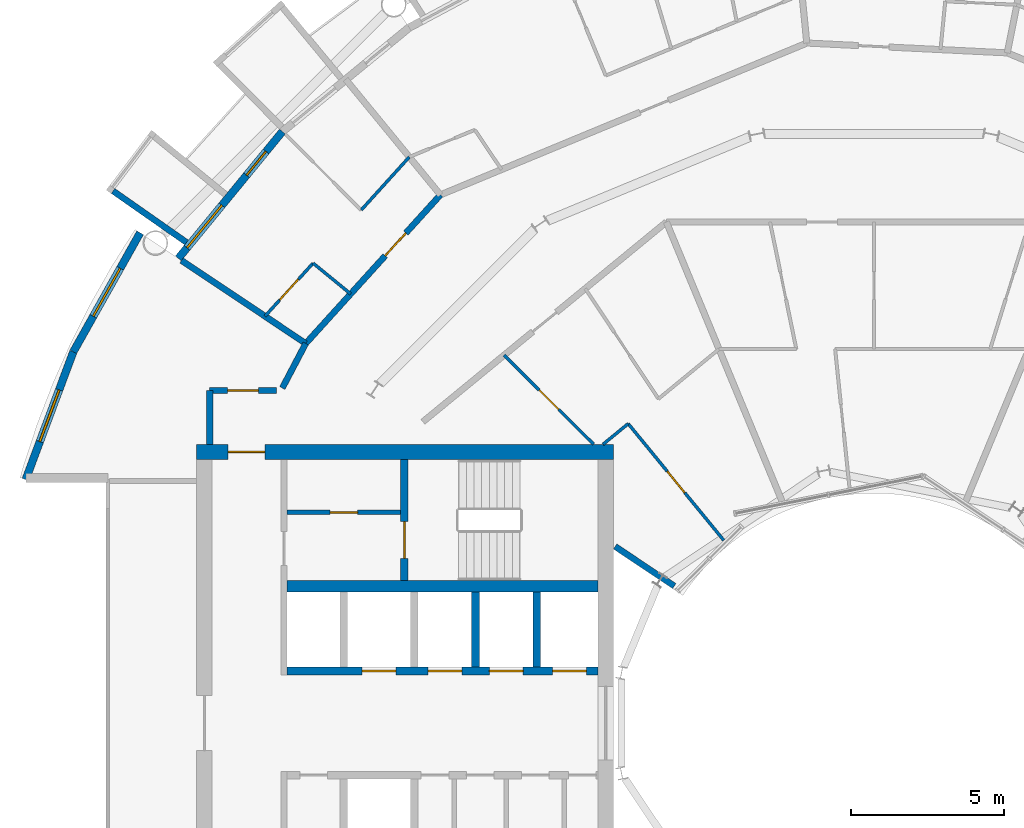
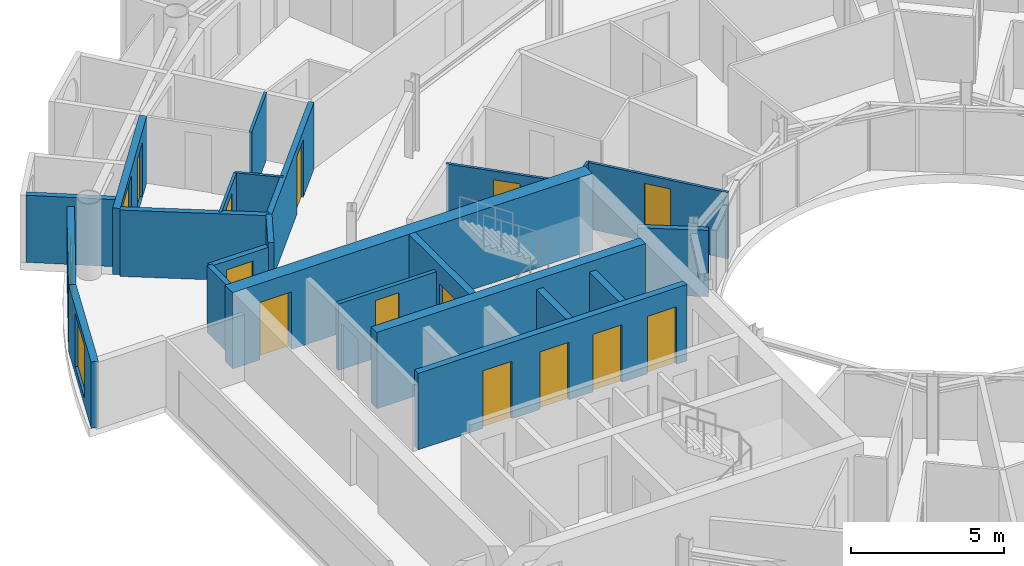
# One storey, part 19 of 26: 23 walls, 13 doors, 3 windows, 16 openings.
"""IFC4 building model written with IfcOpenShell, lengths in metres."""

from ifc_helpers import new_model, si_unit, direction, frame, frame_2d, origin, place, context, subcontext, project, spatial, rectangle, extrude, material, layer, layer_set, type_object, element, fill, save


model = new_model("IFC4")

# Units and contexts
model_context = context("Model", 3, precision=1e-05, world=origin(), true_north=direction((0.0, 1.0)))
body_context = subcontext(model_context, "Body", "Model", "MODEL_VIEW")
ifc_project = project(units=[si_unit("LENGTHUNIT", "METRE"), si_unit("AREAUNIT", "SQUARE_METRE"), si_unit("VOLUMEUNIT", "CUBIC_METRE"), si_unit("PLANEANGLEUNIT", "RADIAN"), si_unit("MASSUNIT", "GRAM", prefix="KILO")], contexts=[model_context])

# Site, building, storey
site_placement = place(None, origin())
site = spatial("IfcSite", under=ifc_project, at=site_placement, CompositionType="ELEMENT")
building_placement = place(site_placement, origin())
building = spatial("IfcBuilding", under=site, at=building_placement, Name="Maasbend Ring Residences", CompositionType="ELEMENT")
storey_placement = place(building_placement, frame((0.0, 0.0, 176.85009765625)))
storey = spatial("IfcBuildingStorey", under=building, at=storey_placement, Name="L51", CompositionType="ELEMENT", Elevation=176.85009765625)

# Wall, openings, doors
ifc_material_1 = material(Name="Concrete C60/75", Category="concrete")
ifc_layer_1 = layer(ifc_material_1, 0.25)
ifc_layer_set_1 = layer_set([ifc_layer_1], Name="Concrete C60/75")
wall_type_1 = type_object("IfcWallType", Name="CORE WALL 250 C60/75", PredefinedType="SHEAR", material=ifc_layer_set_1)
wall_1_placement = place(storey_placement, frame((-9.0, 1.699951171875, 0.0), z_axis=(0.0, 0.0, 1.0), x_axis=(-1.0, 0.0, 0.0)))
wall_1 = element("IfcWall", 1, at=wall_1_placement, inside=storey, type_object=wall_type_1, Name="L51 core W wall SPS", PredefinedType="SHEAR", context=body_context, shape_type="SweptSolid", body=[
    extrude(rectangle(XDim=10.14990234375, YDim=0.25, at=frame_2d((5.074951171875, 0.0))), origin(), (0.0, 0.0, 1.0), 3.0498046875),
])
opening_1_placement = place(wall_1_placement, frame((0.387451171875, 0.0, 0.0)))
opening_1 = element("IfcOpeningElement", 2, at=opening_1_placement, cuts=wall_1, Name="Opening LD-W5102", PredefinedType="OPENING", context=body_context, shape_type="SweptSolid", body=[
    extrude(rectangle(XDim=1.10009765625, YDim=2.300048828125, at=frame_2d((0.550048828125, 1.14990234375))), frame((0.0, 0.135009765625, 0.0), z_axis=(0.0, -1.0, 0.0), x_axis=(1.0, 0.0, 0.0)), (0.0, 0.0, 1.0), 0.27001953125),
])
opening_2_placement = place(wall_1_placement, frame((2.449951171875, 0.0, 0.0)))
opening_2 = element("IfcOpeningElement", 3, at=opening_2_placement, cuts=wall_1, Name="Opening LD-W5103", PredefinedType="OPENING", context=body_context, shape_type="SweptSolid", body=[
    extrude(rectangle(XDim=1.10009765625, YDim=2.300048828125, at=frame_2d((0.550048828125, 1.14990234375))), frame((0.0, 0.135009765625, 0.0), z_axis=(0.0, -1.0, 0.0), x_axis=(1.0, 0.0, 0.0)), (0.0, 0.0, 1.0), 0.27001953125),
])
opening_3_placement = place(wall_1_placement, frame((4.449951171875, 0.0, 0.0)))
opening_3 = element("IfcOpeningElement", 4, at=opening_3_placement, cuts=wall_1, Name="Opening LD-W5104", PredefinedType="OPENING", context=body_context, shape_type="SweptSolid", body=[
    extrude(rectangle(XDim=1.10009765625, YDim=2.300048828125, at=frame_2d((0.550048828125, 1.14990234375))), frame((0.0, 0.135009765625, 0.0), z_axis=(0.0, -1.0, 0.0), x_axis=(1.0, 0.0, 0.0)), (0.0, 0.0, 1.0), 0.27001953125),
])
opening_4_placement = place(wall_1_placement, frame((6.60009765625, 0.0, 0.0)))
opening_4 = element("IfcOpeningElement", 5, at=opening_4_placement, cuts=wall_1, Name="Opening LD-W5105", PredefinedType="OPENING", context=body_context, shape_type="SweptSolid", body=[
    extrude(rectangle(XDim=1.10009765625, YDim=2.300048828125, at=frame_2d((0.550048828125, 1.14990234375))), frame((0.0, 0.135009765625, 0.0), z_axis=(0.0, -1.0, 0.0), x_axis=(1.0, 0.0, 0.0)), (0.0, 0.0, 1.0), 0.27001953125),
])
ifc_material_2 = material(Name="Stainless steel 316", Category="steel")
door_type_1 = type_object("IfcDoorType", Name="LANDING DOOR 1100 X 2300 FD60", OperationType="DOUBLE_DOOR_SLIDING", PredefinedType="DOOR", material=ifc_material_2)
door_1_placement = place(opening_1_placement, origin())
door_1 = element("IfcDoor", 6, at=door_1_placement, inside=storey, type_object=door_type_1, Name="Landing door HR-W1 L51", OperationType="DOUBLE_DOOR_SLIDING", OverallHeight=2.300048828125, OverallWidth=1.10009765625, PredefinedType="DOOR", context=body_context, shape_type="SweptSolid", body=[
    extrude(rectangle(XDim=1.10009765625, YDim=2.300048828125, at=frame_2d((0.550048828125, 1.14990234375))), frame((0.0, 0.02490234375, 0.0), z_axis=(0.0, -1.0, 0.0), x_axis=(1.0, 0.0, 0.0)), (0.0, 0.0, 1.0), 0.050048828125),
])
fill(opening_1, door_1)
door_2_placement = place(opening_2_placement, origin())
door_2 = element("IfcDoor", 7, at=door_2_placement, inside=storey, type_object=door_type_1, Name="Landing door HR-W2 L51", OperationType="DOUBLE_DOOR_SLIDING", OverallHeight=2.300048828125, OverallWidth=1.10009765625, PredefinedType="DOOR", context=body_context, shape_type="SweptSolid", body=[
    extrude(rectangle(XDim=1.10009765625, YDim=2.300048828125, at=frame_2d((0.550048828125, 1.14990234375))), frame((0.0, 0.02490234375, 0.0), z_axis=(0.0, -1.0, 0.0), x_axis=(1.0, 0.0, 0.0)), (0.0, 0.0, 1.0), 0.050048828125),
])
fill(opening_2, door_2)
door_3_placement = place(opening_3_placement, origin())
door_3 = element("IfcDoor", 8, at=door_3_placement, inside=storey, type_object=door_type_1, Name="Landing door HR-W3 L51", OperationType="DOUBLE_DOOR_SLIDING", OverallHeight=2.300048828125, OverallWidth=1.10009765625, PredefinedType="DOOR", context=body_context, shape_type="SweptSolid", body=[
    extrude(rectangle(XDim=1.10009765625, YDim=2.300048828125, at=frame_2d((0.550048828125, 1.14990234375))), frame((0.0, 0.02490234375, 0.0), z_axis=(0.0, -1.0, 0.0), x_axis=(1.0, 0.0, 0.0)), (0.0, 0.0, 1.0), 0.050048828125),
])
fill(opening_3, door_3)
door_4_placement = place(opening_4_placement, origin())
door_4 = element("IfcDoor", 9, at=door_4_placement, inside=storey, type_object=door_type_1, Name="Landing door SV-W L51", OperationType="DOUBLE_DOOR_SLIDING", OverallHeight=2.300048828125, OverallWidth=1.10009765625, PredefinedType="DOOR", context=body_context, shape_type="SweptSolid", body=[
    extrude(rectangle(XDim=1.10009765625, YDim=2.300048828125, at=frame_2d((0.550048828125, 1.14990234375))), frame((0.0, 0.02490234375, 0.0), z_axis=(0.0, -1.0, 0.0), x_axis=(1.0, 0.0, 0.0)), (0.0, 0.0, 1.0), 0.050048828125),
])
fill(opening_4, door_4)

# Wall, opening, door
wall_2_placement = place(storey_placement, frame((-15.324951171875, 8.60009765625, 0.0), z_axis=(0.0, 0.0, 1.0), x_axis=(0.0, -1.0, 0.0)))
wall_2 = element("IfcWall", 10, at=wall_2_placement, inside=storey, type_object=wall_type_1, Name="L51 core W wall STES", PredefinedType="SHEAR", context=body_context, shape_type="SweptSolid", body=[
    extrude(rectangle(XDim=3.9501953125, YDim=0.25, at=frame_2d((1.97509765625, 0.0))), origin(), (0.0, 0.0, 1.0), 3.0498046875),
])
opening_5_placement = place(wall_2_placement, frame((2.02490234375, 0.0, 0.0)))
opening_5 = element("IfcOpeningElement", 11, at=opening_5_placement, cuts=wall_2, Name="Opening D-W5113", PredefinedType="OPENING", context=body_context, shape_type="SweptSolid", body=[
    extrude(rectangle(XDim=1.199951171875, YDim=2.300048828125, at=frame_2d((0.60009765625, 1.14990234375))), frame((0.0, 0.135009765625, 0.0), z_axis=(0.0, -1.0, 0.0), x_axis=(1.0, 0.0, 0.0)), (0.0, 0.0, 1.0), 0.27001953125),
])
ifc_material_3 = material(Name="Steel, powder coated", Category="steel")
door_type_2 = type_object("IfcDoorType", Name="STAIR DOOR 1200 X 2300 FD60", OperationType="NOTDEFINED", PredefinedType="DOOR", material=ifc_material_3)
door_5_placement = place(opening_5_placement, origin())
door_5 = element("IfcDoor", 12, at=door_5_placement, inside=storey, type_object=door_type_2, Name="Stair door ST-W L51", OperationType="SINGLE_SWING_LEFT", OverallHeight=2.300048828125, OverallWidth=1.199951171875, PredefinedType="DOOR", context=body_context, shape_type="SweptSolid", body=[
    extrude(rectangle(XDim=1.199951171875, YDim=2.300048828125, at=frame_2d((0.60009765625, 1.14990234375))), frame((0.0, 0.02490234375, 0.0), z_axis=(0.0, -1.0, 0.0), x_axis=(1.0, 0.0, 0.0)), (0.0, 0.0, 1.0), 0.050048828125),
])
fill(opening_5, door_5)

# Wall
ifc_material_4 = material(Name="Concrete C60/75", Category="concrete")
ifc_layer_2 = layer(ifc_material_4, 0.375)
ifc_layer_set_2 = layer_set([ifc_layer_2], Name="Concrete C60/75")
wall_type_2 = type_object("IfcWallType", Name="CORE WALL 375 C60/75", PredefinedType="SHEAR", material=ifc_layer_set_2)
wall_3_placement = place(storey_placement, frame((-9.0, 4.46240234375, 0.0), z_axis=(0.0, 0.0, 1.0), x_axis=(-1.0, 0.0, 0.0)))
element("IfcWall", 13, at=wall_3_placement, inside=storey, type_object=wall_type_2, Name="L51 core W wall BS", PredefinedType="SHEAR", context=body_context, shape_type="SweptSolid", body=[
    extrude(rectangle(XDim=10.14990234375, YDim=0.375, at=frame_2d((5.074951171875, 0.0))), origin(), (0.0, 0.0, 1.0), 3.0498046875),
])

# Wall, opening, door
ifc_material_5 = material(Name="Concrete C60/75", Category="concrete")
ifc_layer_3 = layer(ifc_material_5, 0.5)
ifc_layer_set_3 = layer_set([ifc_layer_3], Name="Concrete C60/75")
wall_type_3 = type_object("IfcWallType", Name="CORE WALL 500 C60/75", PredefinedType="SHEAR", material=ifc_layer_set_3)
wall_4_placement = place(storey_placement, frame((-8.5, 8.85009765625, 0.0), z_axis=(0.0, 0.0, 1.0), x_axis=(-1.0, 0.0, 0.0)))
wall_4 = element("IfcWall", 14, at=wall_4_placement, inside=storey, type_object=wall_type_3, Name="L51 core W wall PS", PredefinedType="SHEAR", context=body_context, shape_type="SweptSolid", body=[
    extrude(rectangle(XDim=13.60009765625, YDim=0.5, at=frame_2d((6.800048828125, 0.0))), origin(), (0.0, 0.0, 1.0), 3.0498046875),
])
opening_6_placement = place(wall_4_placement, frame((11.375, 0.0, 0.0)))
opening_6 = element("IfcOpeningElement", 15, at=opening_6_placement, cuts=wall_4, Name="Opening D-W5117", PredefinedType="OPENING", context=body_context, shape_type="SweptSolid", body=[
    extrude(rectangle(XDim=1.199951171875, YDim=2.300048828125, at=frame_2d((0.60009765625, 1.14990234375))), frame((0.0, 0.260009765625, 0.0), z_axis=(0.0, -1.0, 0.0), x_axis=(1.0, 0.0, 0.0)), (0.0, 0.0, 1.0), 0.52001953125),
])
ifc_material_6 = material(Name="Steel, powder coated", Category="steel")
door_type_3 = type_object("IfcDoorType", Name="CORRIDOR DOOR 1200 X 2300 FD30S", OperationType="NOTDEFINED", PredefinedType="DOOR", material=ifc_material_6)
door_6_placement = place(opening_6_placement, origin())
door_6 = element("IfcDoor", 16, at=door_6_placement, inside=storey, type_object=door_type_3, Name="Corridor door L51", OperationType="SINGLE_SWING_LEFT", OverallHeight=2.300048828125, OverallWidth=1.199951171875, PredefinedType="DOOR", context=body_context, shape_type="SweptSolid", body=[
    extrude(rectangle(XDim=1.199951171875, YDim=2.300048828125, at=frame_2d((0.60009765625, 1.14990234375))), frame((0.0, 0.02490234375, 0.0), z_axis=(0.0, -1.0, 0.0), x_axis=(1.0, 0.0, 0.0)), (0.0, 0.0, 1.0), 0.050048828125),
])
fill(opening_6, door_6)

ifc_material_7 = material(Name="Concrete C30/37", Category="concrete")
ifc_layer_4 = layer(ifc_material_7, 0.199951171875)
ifc_layer_set_4 = layer_set([ifc_layer_4], Name="Concrete C30/37")
wall_type_4 = type_object("IfcWallType", Name="CORRIDOR WALL 200 CONCRETE", PredefinedType="PARTITIONING", material=ifc_layer_set_4)
wall_5_placement = place(storey_placement, frame((-21.675048828125, 10.85009765625, 0.0), z_axis=(0.0, 0.0, 1.0), x_axis=(1.0, 0.0, 0.0)))
wall_5 = element("IfcWall", 17, at=wall_5_placement, inside=storey, type_object=wall_type_4, Name="U-L51-w096", PredefinedType="PARTITIONING", context=body_context, shape_type="SweptSolid", body=[
    extrude(rectangle(XDim=2.171142578125, YDim=0.199951171875, at=frame_2d((1.08544921875, 0.0))), origin(), (0.0, 0.0, 1.0), 2.64990234375),
])
opening_7_placement = place(wall_5_placement, frame((0.5849609375, 0.0, 0.0)))
opening_7 = element("IfcOpeningElement", 18, at=opening_7_placement, cuts=wall_5, Name="Opening D-5166", PredefinedType="OPENING", context=body_context, shape_type="SweptSolid", body=[
    extrude(rectangle(XDim=1.0, YDim=2.300048828125, at=frame_2d((0.5, 1.14990234375))), frame((0.0, 0.10986328125, 0.0), z_axis=(0.0, -1.0, 0.0), x_axis=(1.0, 0.0, 0.0)), (0.0, 0.0, 1.0), 0.219970703125),
])
ifc_material_8 = material(Name="Timber, painted", Category="wood")
door_type_4 = type_object("IfcDoorType", Name="ROOM DOOR 1000 X 2300", OperationType="NOTDEFINED", PredefinedType="DOOR", material=ifc_material_8)
door_7_placement = place(opening_7_placement, origin())
door_7 = element("IfcDoor", 19, at=door_7_placement, inside=storey, type_object=door_type_4, Name="D-5166", OperationType="SINGLE_SWING_LEFT", OverallHeight=2.300048828125, OverallWidth=1.0, PredefinedType="DOOR", context=body_context, shape_type="SweptSolid", body=[
    extrude(rectangle(XDim=1.0, YDim=2.300048828125, at=frame_2d((0.5, 1.14990234375))), frame((0.0, 0.02490234375, 0.0), z_axis=(0.0, -1.0, 0.0), x_axis=(1.0, 0.0, 0.0)), (0.0, 0.0, 1.0), 0.050048828125),
])
fill(opening_7, door_7)

# Wall
wall_6_placement = place(storey_placement, frame((-21.675048828125, 9.10009765625, 0.0), z_axis=(0.0, 0.0, 1.0), x_axis=(0.0, 1.0, 0.0)))
element("IfcWall", 20, at=wall_6_placement, inside=storey, type_object=wall_type_4, Name="U-L51-w109", PredefinedType="PARTITIONING", context=body_context, shape_type="SweptSolid", body=[
    extrude(rectangle(XDim=1.75, YDim=0.199951171875, at=frame_2d((0.875, 0.0))), origin(), (0.0, 0.0, 1.0), 2.64990234375),
])

# Wall, opening, door
wall_7_placement = place(storey_placement, frame((-18.5419921875, 12.388916015625, 0.0), z_axis=(0.0, 0.0, 1.0), x_axis=(0.671561669125, 0.740948665268, 0.0)))
wall_7 = element("IfcWall", 21, at=wall_7_placement, inside=storey, type_object=wall_type_4, Name="U-L51-w112", PredefinedType="PARTITIONING", context=body_context, shape_type="SweptSolid", body=[
    extrude(rectangle(XDim=6.54443359375, YDim=0.199951171875, at=frame_2d((3.272216796875, 0.0))), origin(), (0.0, 0.0, 1.0), 2.64990234375),
])
opening_8_placement = place(wall_7_placement, frame((3.862060546875, 0.0, 0.0)))
opening_8 = element("IfcOpeningElement", 22, at=opening_8_placement, cuts=wall_7, Name="Opening D-5117", PredefinedType="OPENING", context=body_context, shape_type="SweptSolid", body=[
    extrude(rectangle(XDim=1.0, YDim=2.300048828125, at=frame_2d((0.5, 1.14990234375))), frame((0.0, 0.10986328125, 0.0), z_axis=(0.0, -1.0, 0.0), x_axis=(1.0, 0.0, 0.0)), (0.0, 0.0, 1.0), 0.219970703125),
])
ifc_material_9 = material(Name="Timber, fire-rated, painted", Category="wood")
door_type_5 = type_object("IfcDoorType", Name="FLAT ENTRANCE DOOR 1000 X 2300 FIRE-RATED", OperationType="NOTDEFINED", PredefinedType="DOOR", material=ifc_material_9)
door_8_placement = place(opening_8_placement, origin())
door_8 = element("IfcDoor", 23, at=door_8_placement, inside=storey, type_object=door_type_5, Name="D-5117", OperationType="SINGLE_SWING_RIGHT", OverallHeight=2.300048828125, OverallWidth=1.0, PredefinedType="DOOR", context=body_context, shape_type="SweptSolid", body=[
    extrude(rectangle(XDim=1.0, YDim=2.300048828125, at=frame_2d((0.5, 1.14990234375))), frame((0.0, 0.02490234375, 0.0), z_axis=(0.0, -1.0, 0.0), x_axis=(1.0, 0.0, 0.0)), (0.0, 0.0, 1.0), 0.050048828125),
])
fill(opening_8, door_8)

# Walls
wall_8_placement = place(storey_placement, frame((-19.306884765625, 10.93505859375, 0.0), z_axis=(0.0, 0.0, 1.0), x_axis=(0.465605550524, 0.884992356646, 0.0)))
element("IfcWall", 24, at=wall_8_placement, inside=storey, type_object=wall_type_4, Name="U-L51-w114", PredefinedType="PARTITIONING", context=body_context, shape_type="SweptSolid", body=[
    extrude(rectangle(XDim=1.642822265625, YDim=0.199951171875, at=frame_2d((0.8212890625, 0.0))), origin(), (0.0, 0.0, 1.0), 2.64990234375),
])
ifc_material_10 = material(Name="Pale anodised aluminium panel", Category="aluminium")
ifc_layer_5 = layer(ifc_material_10, 0.199951171875)
ifc_layer_set_5 = layer_set([ifc_layer_5], Name="EW-BOX")
wall_type_5 = type_object("IfcWallType", Name="EW-BOX", PredefinedType="SOLIDWALL", material=ifc_layer_set_5)
wall_9_placement = place(storey_placement, frame((-22.43310546875, 15.68798828125, -0.030029296875), z_axis=(0.0, 0.0, 1.0), x_axis=(-0.819373043115, 0.573260687834, 0.0)))
element("IfcWall", 25, at=wall_9_placement, inside=storey, type_object=wall_type_5, Name="Box side wall N20 right", PredefinedType="SOLIDWALL", context=body_context, shape_type="SweptSolid", body=[
    extrude(rectangle(XDim=2.92529296875, YDim=0.199951171875, at=frame_2d((1.462646484375, 0.0))), origin(), (0.0, 0.0, 1.0), 2.679931640625),
])

# Wall, openings, door, window
ifc_material_11 = material(Name="Aluminium clad insulated panel", Category="aluminium")
ifc_layer_6 = layer(ifc_material_11, 0.25)
ifc_layer_set_6 = layer_set([ifc_layer_6], Name="EW-GL")
wall_type_6 = type_object("IfcWallType", Name="EW-GL", PredefinedType="SOLIDWALL", material=ifc_layer_set_6)
wall_10_placement = place(storey_placement, frame((-19.303955078125, 19.303955078125, 0.0), z_axis=(0.0, 0.0, 1.0), x_axis=(-0.634382322723, -0.773019449054, 0.0)))
wall_10 = element("IfcWall", 26, at=wall_10_placement, inside=storey, type_object=wall_type_6, Name="External wall N10", PredefinedType="SOLIDWALL", context=body_context, shape_type="SweptSolid", body=[
    extrude(rectangle(XDim=5.351806640625, YDim=0.25, at=frame_2d((2.67578125, 0.0))), origin(), (0.0, 0.0, 1.0), 2.64990234375),
])
opening_9_placement = place(wall_10_placement, frame((0.841064453125, 0.0, 0.0)))
opening_9 = element("IfcOpeningElement", 27, at=opening_9_placement, cuts=wall_10, Name="Opening D-LG", PredefinedType="OPENING", context=body_context, shape_type="SweptSolid", body=[
    extrude(rectangle(XDim=1.0, YDim=2.199951171875, at=frame_2d((0.5, 1.10009765625))), frame((0.0, 0.135009765625, 0.0), z_axis=(0.0, -1.0, 0.0), x_axis=(1.0, 0.0, 0.0)), (0.0, 0.0, 1.0), 0.27001953125),
])
opening_10_placement = place(wall_10_placement, frame((3.110595703125, 0.0, 0.300048828125)))
opening_10 = element("IfcOpeningElement", 28, at=opening_10_placement, cuts=wall_10, Name="Opening W-BX", PredefinedType="OPENING", context=body_context, shape_type="SweptSolid", body=[
    extrude(rectangle(XDim=1.800048828125, YDim=2.10009765625, at=frame_2d((0.89990234375, 1.050048828125))), frame((0.0, 0.135009765625, 0.0), z_axis=(0.0, -1.0, 0.0), x_axis=(1.0, 0.0, 0.0)), (0.0, 0.0, 1.0), 0.27001953125),
])
ifc_material_12 = material(Name="Aluminium and clear glass", Category="aluminium")
door_type_6 = type_object("IfcDoorType", Name="D-LG", OperationType="SINGLE_SWING_LEFT", PredefinedType="DOOR", material=ifc_material_12)
door_9_placement = place(opening_9_placement, origin())
door_9 = element("IfcDoor", 29, at=door_9_placement, inside=storey, type_object=door_type_6, Name="Loggia door N19", OperationType="SINGLE_SWING_LEFT", OverallHeight=2.199951171875, OverallWidth=1.0, PredefinedType="DOOR", context=body_context, shape_type="SweptSolid", body=[
    extrude(rectangle(XDim=1.0, YDim=2.199951171875, at=frame_2d((0.5, 1.10009765625))), frame((0.0, 0.02490234375, 0.0), z_axis=(0.0, -1.0, 0.0), x_axis=(1.0, 0.0, 0.0)), (0.0, 0.0, 1.0), 0.050048828125),
])
fill(opening_9, door_9)
ifc_material_13 = material(Name="Aluminium and clear glass", Category="aluminium")
window_type = type_object("IfcWindowType", Name="W-BX", PartitioningType="DOUBLE_PANEL_VERTICAL", PredefinedType="WINDOW", material=ifc_material_13)
window_1_placement = place(opening_10_placement, origin())
window_1 = element("IfcWindow", 30, at=window_1_placement, inside=storey, type_object=window_type, Name="Window N20 room to box", OverallHeight=2.10009765625, OverallWidth=1.800048828125, PartitioningType="SINGLE_PANEL", PredefinedType="WINDOW", context=body_context, shape_type="SweptSolid", body=[
    extrude(rectangle(XDim=1.800048828125, YDim=2.10009765625, at=frame_2d((0.89990234375, 1.050048828125))), frame((0.0, 0.030029296875, 0.0), z_axis=(0.0, -1.0, 0.0), x_axis=(1.0, 0.0, 0.0)), (0.0, 0.0, 1.0), 0.06005859375),
])
fill(opening_10, window_1)

# Wall, opening, window
ifc_material_14 = material(Name="Aluminium clad insulated panel", Category="aluminium")
ifc_layer_7 = layer(ifc_material_14, 0.25)
ifc_layer_set_7 = layer_set([ifc_layer_7], Name="EW-HORN")
wall_type_7 = type_object("IfcWallType", Name="EW-HORN", PredefinedType="SOLIDWALL", material=ifc_layer_set_7)
wall_11_placement = place(storey_placement, frame((-23.946044921875, 16.0, 0.0), z_axis=(0.0, 0.0, 1.0), x_axis=(-0.489696356642, -0.871893042919, 0.0)))
wall_11 = element("IfcWall", 31, at=wall_11_placement, inside=storey, type_object=wall_type_7, Name="Horn wall 4.1", PredefinedType="SOLIDWALL", context=body_context, shape_type="SweptSolid", body=[
    extrude(rectangle(XDim=4.45361328125, YDim=0.25, at=frame_2d((2.226806640625, 0.0))), origin(), (0.0, 0.0, 1.0), 2.64990234375),
])
opening_11_placement = place(wall_11_placement, frame((1.32666015625, 0.0, 0.300048828125)))
opening_11 = element("IfcOpeningElement", 32, at=opening_11_placement, cuts=wall_11, Name="Opening W-BX", PredefinedType="OPENING", context=body_context, shape_type="SweptSolid", body=[
    extrude(rectangle(XDim=1.800048828125, YDim=2.10009765625, at=frame_2d((0.89990234375, 1.050048828125))), frame((0.0, 0.135009765625, 0.0), z_axis=(0.0, -1.0, 0.0), x_axis=(1.0, 0.0, 0.0)), (0.0, 0.0, 1.0), 0.27001953125),
])
window_2_placement = place(opening_11_placement, origin())
window_2 = element("IfcWindow", 33, at=window_2_placement, inside=storey, type_object=window_type, Name="Horn window 4.1", OverallHeight=2.10009765625, OverallWidth=1.800048828125, PartitioningType="SINGLE_PANEL", PredefinedType="WINDOW", context=body_context, shape_type="SweptSolid", body=[
    extrude(rectangle(XDim=1.800048828125, YDim=2.10009765625, at=frame_2d((0.89990234375, 1.050048828125))), frame((0.0, 0.030029296875, 0.0), z_axis=(0.0, -1.0, 0.0), x_axis=(1.0, 0.0, 0.0)), (0.0, 0.0, 1.0), 0.06005859375),
])
fill(opening_11, window_2)

wall_12_placement = place(storey_placement, frame((-26.126953125, 12.116943359375, 0.0), z_axis=(0.0, 0.0, 1.0), x_axis=(-0.349247811493, -0.937030397675, 0.0)))
wall_12 = element("IfcWall", 34, at=wall_12_placement, inside=storey, type_object=wall_type_7, Name="Horn wall 4.2", PredefinedType="SOLIDWALL", context=body_context, shape_type="SweptSolid", body=[
    extrude(rectangle(XDim=4.4521484375, YDim=0.25, at=frame_2d((2.22607421875, 0.0))), origin(), (0.0, 0.0, 1.0), 2.64990234375),
])
opening_12_placement = place(wall_12_placement, frame((1.32666015625, 0.0, 0.300048828125)))
opening_12 = element("IfcOpeningElement", 35, at=opening_12_placement, cuts=wall_12, Name="Opening W-BX", PredefinedType="OPENING", context=body_context, shape_type="SweptSolid", body=[
    extrude(rectangle(XDim=1.800048828125, YDim=2.10009765625, at=frame_2d((0.89990234375, 1.050048828125))), frame((0.0, 0.135009765625, 0.0), z_axis=(0.0, -1.0, 0.0), x_axis=(1.0, 0.0, 0.0)), (0.0, 0.0, 1.0), 0.27001953125),
])
window_3_placement = place(opening_12_placement, origin())
window_3 = element("IfcWindow", 36, at=window_3_placement, inside=storey, type_object=window_type, Name="Horn window 4.2", OverallHeight=2.10009765625, OverallWidth=1.800048828125, PartitioningType="SINGLE_PANEL", PredefinedType="WINDOW", context=body_context, shape_type="SweptSolid", body=[
    extrude(rectangle(XDim=1.800048828125, YDim=2.10009765625, at=frame_2d((0.89990234375, 1.050048828125))), frame((0.0, 0.030029296875, 0.0), z_axis=(0.0, -1.0, 0.0), x_axis=(1.0, 0.0, 0.0)), (0.0, 0.0, 1.0), 0.06005859375),
])
fill(opening_12, window_3)

# Wall, opening, door
ifc_material_15 = material(Name="Gypsum board on steel studs", Category="steel")
ifc_layer_8 = layer(ifc_material_15, 0.10009765625)
ifc_layer_set_8 = layer_set([ifc_layer_8], Name="PARTITION 100 GYPSUM")
wall_type_8 = type_object("IfcWallType", Name="PARTITION 100 GYPSUM", PredefinedType="PARTITIONING", material=ifc_layer_set_8)
wall_13_placement = place(storey_placement, frame((-8.01904296875, 9.77099609375, 0.0), z_axis=(0.0, 0.0, 1.0), x_axis=(0.633851064378, -0.773455123577, 0.0)))
wall_13 = element("IfcWall", 37, at=wall_13_placement, inside=storey, type_object=wall_type_8, Name="U-L51-w030", PredefinedType="PARTITIONING", context=body_context, shape_type="SweptSolid", body=[
    extrude(rectangle(XDim=4.91943359375, YDim=0.10009765625, at=frame_2d((2.459716796875, 0.0))), origin(), (0.0, 0.0, 1.0), 2.64990234375),
])
opening_13_placement = place(wall_13_placement, frame((2.010009765625, 0.0, 0.0)))
opening_13 = element("IfcOpeningElement", 38, at=opening_13_placement, cuts=wall_13, Name="Opening D-5132", PredefinedType="OPENING", context=body_context, shape_type="SweptSolid", body=[
    extrude(rectangle(XDim=0.89990234375, YDim=2.300048828125, at=frame_2d((0.449951171875, 1.14990234375))), frame((0.0, 0.06005859375, 0.0), z_axis=(0.0, -1.0, 0.0), x_axis=(1.0, 0.0, 0.0)), (0.0, 0.0, 1.0), 0.1201171875),
])
ifc_material_16 = material(Name="Timber, painted", Category="wood")
door_type_7 = type_object("IfcDoorType", Name="INTERNAL DOOR 900 X 2300", OperationType="NOTDEFINED", PredefinedType="DOOR", material=ifc_material_16)
door_10_placement = place(opening_13_placement, origin())
door_10 = element("IfcDoor", 39, at=door_10_placement, inside=storey, type_object=door_type_7, Name="D-5132", OperationType="SINGLE_SWING_RIGHT", OverallHeight=2.300048828125, OverallWidth=0.89990234375, PredefinedType="DOOR", context=body_context, shape_type="SweptSolid", body=[
    extrude(rectangle(XDim=0.89990234375, YDim=2.300048828125, at=frame_2d((0.449951171875, 1.14990234375))), frame((0.0, 0.02490234375, 0.0), z_axis=(0.0, -1.0, 0.0), x_axis=(1.0, 0.0, 0.0)), (0.0, 0.0, 1.0), 0.050048828125),
])
fill(opening_13, door_10)

wall_14_placement = place(storey_placement, frame((-12.069091796875, 12.007080078125, 0.0), z_axis=(0.0, 0.0, 1.0), x_axis=(0.708822693149, -0.705386695138, 0.0)))
wall_14 = element("IfcWall", 40, at=wall_14_placement, inside=storey, type_object=wall_type_8, Name="U-L51-w043", PredefinedType="PARTITIONING", context=body_context, shape_type="SweptSolid", body=[
    extrude(rectangle(XDim=4.12109375, YDim=0.10009765625, at=frame_2d((2.060546875, 0.0))), origin(), (0.0, 0.0, 1.0), 2.64990234375),
])
opening_14_placement = place(wall_14_placement, frame((1.611083984375, 0.0, 0.0)))
opening_14 = element("IfcOpeningElement", 41, at=opening_14_placement, cuts=wall_14, Name="Opening D-5131", PredefinedType="OPENING", context=body_context, shape_type="SweptSolid", body=[
    extrude(rectangle(XDim=0.89990234375, YDim=2.300048828125, at=frame_2d((0.449951171875, 1.14990234375))), frame((0.0, 0.06005859375, 0.0), z_axis=(0.0, -1.0, 0.0), x_axis=(1.0, 0.0, 0.0)), (0.0, 0.0, 1.0), 0.1201171875),
])
door_11_placement = place(opening_14_placement, origin())
door_11 = element("IfcDoor", 42, at=door_11_placement, inside=storey, type_object=door_type_7, Name="D-5131", OperationType="SINGLE_SWING_RIGHT", OverallHeight=2.300048828125, OverallWidth=0.89990234375, PredefinedType="DOOR", context=body_context, shape_type="SweptSolid", body=[
    extrude(rectangle(XDim=0.89990234375, YDim=2.300048828125, at=frame_2d((0.449951171875, 1.14990234375))), frame((0.0, 0.02490234375, 0.0), z_axis=(0.0, -1.0, 0.0), x_axis=(1.0, 0.0, 0.0)), (0.0, 0.0, 1.0), 0.050048828125),
])
fill(opening_14, door_11)

# Walls
wall_15_placement = place(storey_placement, frame((-18.302001953125, 15.010009765625, 0.0), z_axis=(0.0, 0.0, 1.0), x_axis=(0.773476341377, -0.633825172528, 0.0)))
element("IfcWall", 43, at=wall_15_placement, inside=storey, type_object=wall_type_8, Name="U-L51-w091", PredefinedType="PARTITIONING", context=body_context, shape_type="SweptSolid", body=[
    extrude(rectangle(XDim=1.583984375, YDim=0.10009765625, at=frame_2d((0.7919921875, 0.0))), origin(), (0.0, 0.0, 1.0), 2.64990234375),
])
wall_16_placement = place(storey_placement, frame((-8.842041015625, 9.094970703125, 0.0), z_axis=(0.0, 0.0, 1.0), x_axis=(0.772730269942, 0.634734534995, 0.0)))
element("IfcWall", 44, at=wall_16_placement, inside=storey, type_object=wall_type_8, Name="U-L51-w100", PredefinedType="PARTITIONING", context=body_context, shape_type="SweptSolid", body=[
    extrude(rectangle(XDim=1.06494140625, YDim=0.10009765625, at=frame_2d((0.532470703125, 0.0))), origin(), (0.0, 0.0, 1.0), 2.64990234375),
])

# Wall, opening, door
wall_17_placement = place(storey_placement, frame((-19.8720703125, 13.278076171875, 0.0), z_axis=(0.0, 0.0, 1.0), x_axis=(0.671637685376, 0.740879760544, 0.0)))
wall_17 = element("IfcWall", 45, at=wall_17_placement, inside=storey, type_object=wall_type_8, Name="U-L51-w122", PredefinedType="PARTITIONING", context=body_context, shape_type="SweptSolid", body=[
    extrude(rectangle(XDim=2.337646484375, YDim=0.10009765625, at=frame_2d((1.1689453125, 0.0))), origin(), (0.0, 0.0, 1.0), 2.64990234375),
])
opening_15_placement = place(wall_17_placement, frame((0.718994140625, 0.0, 0.0)))
opening_15 = element("IfcOpeningElement", 46, at=opening_15_placement, cuts=wall_17, Name="Opening D-5118", PredefinedType="OPENING", context=body_context, shape_type="SweptSolid", body=[
    extrude(rectangle(XDim=0.89990234375, YDim=2.300048828125, at=frame_2d((0.449951171875, 1.14990234375))), frame((0.0, 0.06005859375, 0.0), z_axis=(0.0, -1.0, 0.0), x_axis=(1.0, 0.0, 0.0)), (0.0, 0.0, 1.0), 0.1201171875),
])
door_12_placement = place(opening_15_placement, origin())
door_12 = element("IfcDoor", 47, at=door_12_placement, inside=storey, type_object=door_type_7, Name="D-5118", OperationType="SINGLE_SWING_LEFT", OverallHeight=2.300048828125, OverallWidth=0.89990234375, PredefinedType="DOOR", context=body_context, shape_type="SweptSolid", body=[
    extrude(rectangle(XDim=0.89990234375, YDim=2.300048828125, at=frame_2d((0.449951171875, 1.14990234375))), frame((0.0, 0.02490234375, 0.0), z_axis=(0.0, -1.0, 0.0), x_axis=(1.0, 0.0, 0.0)), (0.0, 0.0, 1.0), 0.050048828125),
])
fill(opening_15, door_12)

# Wall
wall_18_placement = place(storey_placement, frame((-16.73193359375, 16.742919921875, 0.0), z_axis=(0.0, 0.0, 1.0), x_axis=(0.671528384412, 0.740978831634, 0.0)))
element("IfcWall", 48, at=wall_18_placement, inside=storey, type_object=wall_type_8, Name="U-L51-w123", PredefinedType="PARTITIONING", context=body_context, shape_type="SweptSolid", body=[
    extrude(rectangle(XDim=2.337646484375, YDim=0.10009765625, at=frame_2d((1.1689453125, 0.0))), origin(), (0.0, 0.0, 1.0), 2.64990234375),
])

# Wall, opening, door
ifc_material_17 = material(Name="Gypsum board on steel studs", Category="steel")
ifc_layer_9 = layer(ifc_material_17, 0.14990234375)
ifc_layer_set_9 = layer_set([ifc_layer_9], Name="PARTITION 150 EI 60")
wall_type_9 = type_object("IfcWallType", Name="PARTITION 150 EI 60", PredefinedType="PARTITIONING", material=ifc_layer_set_9)
wall_19_placement = place(storey_placement, frame((-15.449951171875, 6.875, 0.0), z_axis=(0.0, 0.0, 1.0), x_axis=(-1.0, 0.0, 0.0)))
wall_19 = element("IfcWall", 49, at=wall_19_placement, inside=storey, type_object=wall_type_9, Name="L51 core W wall RHS", PredefinedType="PARTITIONING", context=body_context, shape_type="SweptSolid", body=[
    extrude(rectangle(XDim=3.699951171875, YDim=0.14990234375, at=frame_2d((1.85009765625, 0.0))), origin(), (0.0, 0.0, 1.0), 2.64990234375),
])
opening_16_placement = place(wall_19_placement, frame((1.39990234375, 0.0, 0.0)))
opening_16 = element("IfcOpeningElement", 50, at=opening_16_placement, cuts=wall_19, Name="Opening D-W5111", PredefinedType="OPENING", context=body_context, shape_type="SweptSolid", body=[
    extrude(rectangle(XDim=0.89990234375, YDim=2.300048828125, at=frame_2d((0.449951171875, 1.14990234375))), frame((0.0, 0.0849609375, 0.0), z_axis=(0.0, -1.0, 0.0), x_axis=(1.0, 0.0, 0.0)), (0.0, 0.0, 1.0), 0.169921875),
])
ifc_material_18 = material(Name="Steel, powder coated", Category="steel")
door_type_8 = type_object("IfcDoorType", Name="RISER DOOR 900 X 2300 FD60", OperationType="NOTDEFINED", PredefinedType="DOOR", material=ifc_material_18)
door_13_placement = place(opening_16_placement, origin())
door_13 = element("IfcDoor", 51, at=door_13_placement, inside=storey, type_object=door_type_8, Name="Riser door L51", OperationType="SINGLE_SWING_LEFT", OverallHeight=2.300048828125, OverallWidth=0.89990234375, PredefinedType="DOOR", context=body_context, shape_type="SweptSolid", body=[
    extrude(rectangle(XDim=0.89990234375, YDim=2.300048828125, at=frame_2d((0.449951171875, 1.14990234375))), frame((0.0, 0.02490234375, 0.0), z_axis=(0.0, -1.0, 0.0), x_axis=(1.0, 0.0, 0.0)), (0.0, 0.0, 1.0), 0.050048828125),
])
fill(opening_16, door_13)

# Walls
ifc_material_19 = material(Name="Concrete C30/37", Category="concrete")
ifc_layer_10 = layer(ifc_material_19, 0.199951171875)
ifc_layer_set_10 = layer_set([ifc_layer_10], Name="Concrete C30/37")
wall_type_10 = type_object("IfcWallType", Name="PARTY WALL 200 CONCRETE", PredefinedType="PARTITIONING", material=ifc_layer_set_10)
wall_20_placement = place(storey_placement, frame((-22.594970703125, 15.097900390625, 0.0), z_axis=(0.0, 0.0, 1.0), x_axis=(0.831387096605, -0.55569370664, 0.0)))
element("IfcWall", 52, at=wall_20_placement, inside=storey, type_object=wall_type_10, Name="U-L51-w034", PredefinedType="PARTITIONING", context=body_context, shape_type="SweptSolid", body=[
    extrude(rectangle(XDim=4.875, YDim=0.199951171875, at=frame_2d((2.4375, 0.0))), origin(), (0.0, 0.0, 1.0), 2.64990234375),
])
wall_21_placement = place(storey_placement, frame((-6.512939453125, 4.471923828125, 0.0), z_axis=(0.0, 0.0, 1.0), x_axis=(-0.83133816625, 0.555766905579, 0.0)))
element("IfcWall", 53, at=wall_21_placement, inside=storey, type_object=wall_type_10, Name="U-L51-w094", PredefinedType="PARTITIONING", context=body_context, shape_type="SweptSolid", body=[
    extrude(rectangle(XDim=2.322998046875, YDim=0.199951171875, at=frame_2d((1.16162109375, 0.0))), origin(), (0.0, 0.0, 1.0), 2.64990234375),
])
ifc_material_20 = material(Name="Concrete C30/37", Category="concrete")
ifc_layer_11 = layer(ifc_material_20, 0.25)
ifc_layer_set_11 = layer_set([ifc_layer_11], Name="Concrete C30/37")
wall_type_11 = type_object("IfcWallType", Name="SHAFT WALL 250 EI 120", PredefinedType="SOLIDWALL", material=ifc_layer_set_11)
for number, where, z_axis, x_axis, name in (
    (54, (-11.0, 1.824951171875, 0.0), (0.0, 0.0, 1.0), (0.0, 1.0, 0.0), "L51 core W wall D110S"),
    (55, (-13.0, 1.824951171875, 0.0), (0.0, 0.0, 1.0), (0.0, 1.0, 0.0), "L51 core W wall D130S"),
):
    element("IfcWall", number, at=place(storey_placement, frame(where, z_axis=z_axis, x_axis=x_axis)), inside=storey, type_object=wall_type_11, Name=name, PredefinedType="SOLIDWALL", context=body_context, shape_type="SweptSolid", body=[
        extrude(rectangle(XDim=2.449951171875, YDim=0.25, at=frame_2d((1.22509765625, 0.0))), origin(), (0.0, 0.0, 1.0), 2.64990234375),
    ])

save(model, "model.ifc")
